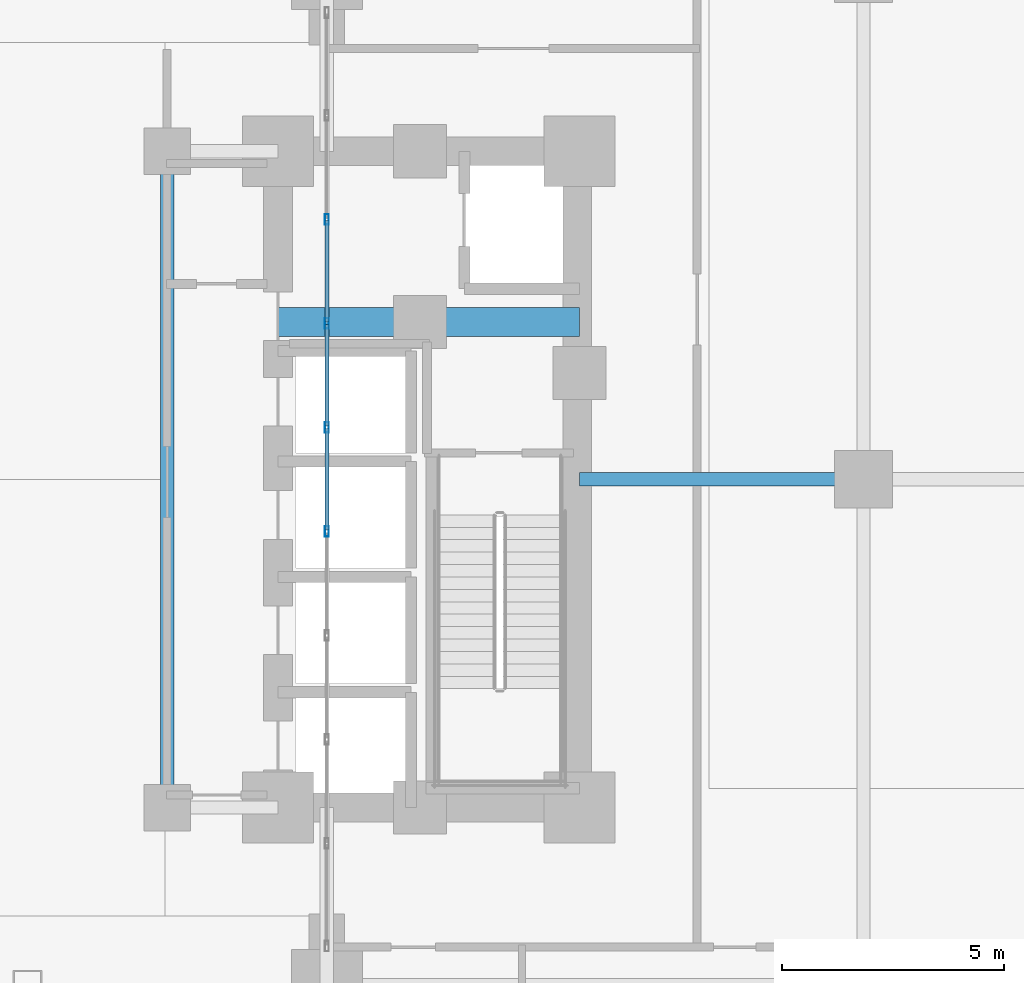
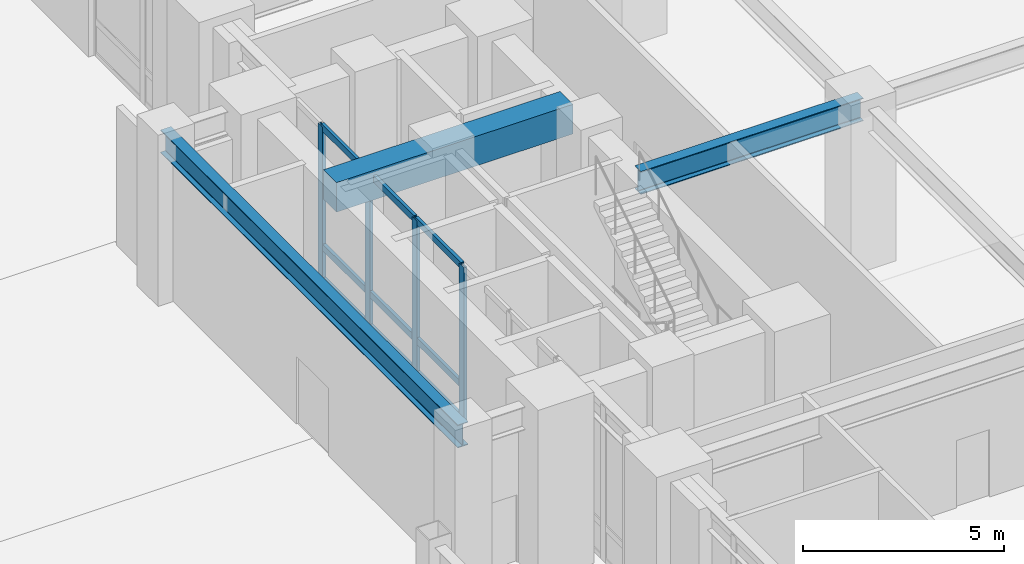
# One storey, part 9 of 23: 13 members, 3 beams, 1 element without a shape of its own.
"""IFC4 building model written with IfcOpenShell, lengths in metres."""

import ifcopenshell
import ifcopenshell.guid

model = None  # the IFC model being written
_history = None  # IfcOwnerHistory: only IFC2X3 demands one
_inside = {}  # id of a spatial element -> (the spatial element, [elements in it])
_under = {}  # id of a project, library or spatial element -> (it, [spatial elements below it])
_declared = {}  # id of a project -> (the project, [libraries it declares])
_typed = {}  # id of a type object -> (the type object, [elements of that type])
_made_of = {}  # id of a material, layer set ... -> (it, [elements and type objects made of it])


def new_model(schema):
    """Start an empty IFC model of exactly this schema.

    Asked for "IFC4X3", IfcOpenShell would pick the latest addendum, in which some entities
    have other attributes; the version numbers below select the first issue.
    IFC2X3 requires an IfcOwnerHistory on every rooted entity: one is made here for all.
    """
    global model, _history
    if schema == "IFC4X3":
        model = ifcopenshell.file(schema_version=(4, 3, 0, 0))
    else:
        model = ifcopenshell.file(schema=schema)
    _inside.clear()
    _under.clear()
    _declared.clear()
    _typed.clear()
    _made_of.clear()
    _history = None
    if model.schema == "IFC2X3":
        org = make("IfcOrganization", Name="unknown")
        user = make(
            "IfcPersonAndOrganization",
            ThePerson=make("IfcPerson", FamilyName="unknown"),
            TheOrganization=org,
        )
        app = make(
            "IfcApplication",
            ApplicationDeveloper=org,
            Version="unknown",
            ApplicationFullName="unknown",
            ApplicationIdentifier="unknown",
        )
        _history = make(
            "IfcOwnerHistory",
            OwningUser=user,
            OwningApplication=app,
            ChangeAction="ADDED",
            CreationDate=0,
        )
    return model


def make(cls, **values):
    """One entity of the class cls with the attributes given. An attribute that is None is left unset."""
    return model.create_entity(
        cls, **{name: value for name, value in values.items() if value is not None}
    )


def rooted(cls, **values):
    """An entity with a GlobalId (a new one), such as an element, a storey or a relation."""
    return make(cls, GlobalId=ifcopenshell.guid.new(), OwnerHistory=_history, **values)


def si_unit(unit_type, name, prefix=None):
    """IfcSIUnit, for example si_unit("LENGTHUNIT", "METRE", prefix="MILLI")."""
    return make("IfcSIUnit", UnitType=unit_type, Prefix=prefix, Name=name)


def assignment(units):
    """IfcUnitAssignment: the units of a project."""
    return None if units is None else make("IfcUnitAssignment", Units=units)


def point(xyz):
    """IfcCartesianPoint."""
    return None if xyz is None else make("IfcCartesianPoint", Coordinates=xyz)


def direction(xyz):
    """IfcDirection."""
    return None if xyz is None else make("IfcDirection", DirectionRatios=xyz)


def frame(location, z_axis=None, x_axis=None):
    """IfcAxis2Placement3D, a coordinate frame: its origin and axes. An axis left out is left unset."""
    return make(
        "IfcAxis2Placement3D",
        Location=point(location),
        Axis=direction(z_axis),
        RefDirection=direction(x_axis),
    )


def frame_2d(location, x_axis=None):
    """IfcAxis2Placement2D, a coordinate frame in the plane: its origin and x axis."""
    return make(
        "IfcAxis2Placement2D", Location=point(location), RefDirection=direction(x_axis)
    )


def origin():
    """The frame at (0, 0, 0) with its axes left unset."""
    return frame((0.0, 0.0, 0.0))


def origin_2d():
    """The frame at (0, 0) in the plane with its x axis left unset."""
    return frame_2d((0.0, 0.0))


def place(relative_to, where):
    """IfcLocalPlacement: puts the frame where relative to a parent placement (None: the world)."""
    return make(
        "IfcLocalPlacement", PlacementRelTo=relative_to, RelativePlacement=where
    )


def context(
    kind, dimensions, precision=None, world=None, true_north=None, identifier=None
):
    """IfcGeometricRepresentationContext, for example the 3D "Model" context."""
    return make(
        "IfcGeometricRepresentationContext",
        ContextIdentifier=identifier,
        ContextType=kind,
        CoordinateSpaceDimension=dimensions,
        Precision=precision,
        WorldCoordinateSystem=world,
        TrueNorth=true_north,
    )


def subcontext(parent, identifier, kind, view, scale=None):
    """IfcGeometricRepresentationSubContext, for example "Body" below "Model"."""
    return make(
        "IfcGeometricRepresentationSubContext",
        ContextIdentifier=identifier,
        ContextType=kind,
        ParentContext=parent,
        TargetScale=scale,
        TargetView=view,
    )


def project(units=None, contexts=None):
    """IfcProject with its units and contexts."""
    return rooted(
        "IfcProject",
        Name="project",
        RepresentationContexts=contexts,
        UnitsInContext=assignment(units),
    )


def spatial(cls, under=None, at=None, **own):
    """A site, building, storey or space (cls), placed at a placement, below another one or the project."""
    s = rooted(cls, ObjectPlacement=at, **own)
    if under is not None:
        _under.setdefault(under.id(), (under, []))[1].append(s)
    return s


def profile(cls, at=None, kind="AREA", **sizes):
    """A parametric profile (cls). Its sizes go by their IFC names, for example OverallWidth=200.0."""
    return make(cls, ProfileType=kind, Position=at, **sizes)


def rectangle(**sizes):
    """IfcRectangleProfileDef."""
    return profile("IfcRectangleProfileDef", **sizes)


def hollow_rectangle(**sizes):
    """IfcRectangleHollowProfileDef."""
    return profile("IfcRectangleHollowProfileDef", **sizes)


def i_section(**sizes):
    """IfcIShapeProfileDef."""
    return profile("IfcIShapeProfileDef", **sizes)


def extrude(swept, where, along, depth):
    """IfcExtrudedAreaSolid: the profile swept, set in the frame where, extruded along a direction by depth."""
    return make(
        "IfcExtrudedAreaSolid",
        SweptArea=swept,
        Position=where,
        ExtrudedDirection=direction(along),
        Depth=depth,
    )


def shape(context_of_items, identifier, shape_type, items):
    """IfcShapeRepresentation: the items that make up one representation, for example the "Body"."""
    return make(
        "IfcShapeRepresentation",
        ContextOfItems=context_of_items,
        RepresentationIdentifier=identifier,
        RepresentationType=shape_type,
        Items=items,
    )


def material(Name=None, Category=None):
    """IfcMaterial."""
    return make("IfcMaterial", Name=Name, Category=Category)


def layer(
    of_material, thickness, ventilated=None, Name=None, Category=None, Priority=None
):
    """IfcMaterialLayer: one layer of a wall or slab, of a material (None: an air gap)."""
    return make(
        "IfcMaterialLayer",
        Material=of_material,
        LayerThickness=thickness,
        IsVentilated=ventilated,
        Name=Name,
        Category=Category,
        Priority=Priority,
    )


def layer_set(layers, Name=None):
    """IfcMaterialLayerSet."""
    return make("IfcMaterialLayerSet", MaterialLayers=layers, LayerSetName=Name)


def material_profile(
    of_material, cross_section, Name=None, Category=None, Priority=None
):
    """IfcMaterialProfile: a cross section and its material."""
    return make(
        "IfcMaterialProfile",
        Name=Name,
        Material=of_material,
        Profile=cross_section,
        Priority=Priority,
        Category=Category,
    )


def profile_set(profiles, Name=None, composite=None):
    """IfcMaterialProfileSet."""
    return make(
        "IfcMaterialProfileSet",
        Name=Name,
        MaterialProfiles=profiles,
        CompositeProfile=composite,
    )


def made_of(thing, what):
    """Note that an element or type object is made of a material, layer set ...; save() writes the relation."""
    if what is not None:
        _made_of.setdefault(what.id(), (what, []))[1].append(thing)
    return thing


def type_object(cls, material=None, **own):
    """A type object (cls), such as IfcWallType, which elements share."""
    return made_of(rooted(cls, **own), material)


def element(
    cls,
    number,
    at=None,
    inside=None,
    cuts=None,
    type_object=None,
    material=None,
    context=None,
    identifier="Body",
    shape_type=None,
    held_by="IfcProductDefinitionShape",
    body=None,
    shapes=None,
    **own,
):
    """One element of the class cls, such as IfcWall. Its Tag is "e" and its number.

    at: its placement. inside: the storey or other place that contains it. cuts: it is an
    opening in that element (IfcRelVoidsElement). A single representation is given by context,
    identifier, shape_type and body (its items); several are given by shapes. held_by: the class
    of the entity that holds the representations. save() writes the other relations.
    """
    e = rooted(cls, Tag="e%d" % number, ObjectPlacement=at, **own)
    if body is not None:
        shapes = [shape(context, identifier, shape_type, body)]
    if shapes is not None:
        e.Representation = make(held_by, Representations=shapes)
    if inside is not None:
        _inside.setdefault(inside.id(), (inside, []))[1].append(e)
    if cuts is not None:
        rooted(
            "IfcRelVoidsElement", RelatingBuildingElement=cuts, RelatedOpeningElement=e
        )
    if type_object is not None:
        _typed.setdefault(type_object.id(), (type_object, []))[1].append(e)
    return made_of(e, material)


def aggregate(whole, parts):
    """IfcRelAggregates: a whole, such as a stair, and the parts it consists of."""
    return rooted("IfcRelAggregates", RelatingObject=whole, RelatedObjects=parts)


def save(model, path):
    """Write the relations noted so far, then the file.

    IfcRelAggregates (storeys below a building ...), IfcRelContainedInSpatialStructure (elements
    in a storey), IfcRelDefinesByType, IfcRelAssociatesMaterial and IfcRelDeclares: one each for
    every whole, place, type object, material and project.
    """
    for whole, parts in _under.values():
        aggregate(whole, parts)
    for where, things in _inside.values():
        rooted(
            "IfcRelContainedInSpatialStructure",
            RelatedElements=things,
            RelatingStructure=where,
        )
    for kind, things in _typed.values():
        rooted("IfcRelDefinesByType", RelatedObjects=things, RelatingType=kind)
    for what, things in _made_of.values():
        rooted("IfcRelAssociatesMaterial", RelatedObjects=things, RelatingMaterial=what)
    for by, libraries in _declared.values():
        rooted("IfcRelDeclares", RelatingContext=by, RelatedDefinitions=libraries)
    model.write(path)


model = new_model("IFC4")

# Units and contexts
model_context = context("Model", 3, precision=1e-05, world=origin(), true_north=direction((0.0, 1.0)))
body_context = subcontext(model_context, "Body", "Model", "MODEL_VIEW")
ifc_project = project(units=[si_unit("LENGTHUNIT", "METRE"), si_unit("AREAUNIT", "SQUARE_METRE"), si_unit("VOLUMEUNIT", "CUBIC_METRE"), si_unit("PLANEANGLEUNIT", "RADIAN"), si_unit("MASSUNIT", "GRAM", prefix="KILO")], contexts=[model_context])

# Site, building, storey
site_placement = place(None, origin())
site = spatial("IfcSite", under=ifc_project, at=site_placement, CompositionType="ELEMENT")
building_placement = place(site_placement, origin())
building = spatial("IfcBuilding", under=site, at=building_placement, Name="Voryun Gate Residences", CompositionType="ELEMENT")
storey_placement = place(building_placement, origin())
storey = spatial("IfcBuildingStorey", under=building, at=storey_placement, Name="L00", CompositionType="ELEMENT", Elevation=0.0)

# Beams
ifc_material_1 = material(Name="Concrete C60/75", Category="concrete")
ifc_material_profile_1 = material_profile(ifc_material_1, rectangle(XDim=0.64990234375, YDim=0.89990234375, at=origin_2d()), Name="RC-650x900")
ifc_profile_set_1 = profile_set([ifc_material_profile_1], Name="Concrete C60/75")
beam_type_1 = type_object("IfcBeamType", Name="BM_COUP_RC900", PredefinedType="LINTEL", material=ifc_profile_set_1)
beam_1_placement = place(storey_placement, frame((12.39990234375, 3.550048828125, 4.469970703125), z_axis=(1.0, 0.0, 0.0), x_axis=(0.0, 1.0, 0.0)))
element("IfcBeam", 1, at=beam_1_placement, inside=storey, type_object=beam_type_1, Name="BM-L00-EC1", PredefinedType="LINTEL", context=body_context, shape_type="SweptSolid", body=[
    extrude(rectangle(XDim=0.64990234375, YDim=0.89990234375, at=origin_2d()), origin(), (0.0, 0.0, 1.0), 6.800048828125),
])
ifc_material_2 = material(Name="Steel SM355", Category="steel")
ifc_material_profile_2 = material_profile(ifc_material_2, i_section(OverallWidth=0.300048828125, OverallDepth=0.699951171875, WebThickness=0.012939453125, FlangeThickness=0.02392578125, FilletRadius=0.01806640625, at=origin_2d()), Name="H-700x300x13x24")
ifc_profile_set_2 = profile_set([ifc_material_profile_2], Name="Steel SM355")
beam_type_2 = type_object("IfcBeamType", Name="BM_GIRD_700", PredefinedType="USERDEFINED", material=ifc_profile_set_2)
beam_2_placement = place(storey_placement, frame((9.89990234375, -7.39990234375, 4.570068359375), z_axis=(0.0, 1.0, 0.0), x_axis=(-1.0, 0.0, 0.0)))
element("IfcBeam", 2, at=beam_2_placement, inside=storey, type_object=beam_type_2, Name="BM-L00-CLRY-E", ObjectType="GIRDER", PredefinedType="USERDEFINED", context=body_context, shape_type="SweptSolid", body=[
    extrude(i_section(OverallWidth=0.300048828125, OverallDepth=0.699951171875, WebThickness=0.012939453125, FlangeThickness=0.02392578125, FilletRadius=0.01806640625, at=origin_2d()), origin(), (0.0, 0.0, 1.0), 14.7998046875),
])
beam_3_placement = place(storey_placement, frame((19.199951171875, 0.0, 4.570068359375), z_axis=(1.0, 0.0, 0.0), x_axis=(0.0, 1.0, 0.0)))
element("IfcBeam", 3, at=beam_3_placement, inside=storey, type_object=beam_type_2, Name="BM-L00-PEX-+0.0-0", ObjectType="GIRDER", PredefinedType="USERDEFINED", context=body_context, shape_type="SweptSolid", body=[
    extrude(i_section(OverallWidth=0.300048828125, OverallDepth=0.699951171875, WebThickness=0.012939453125, FlangeThickness=0.02392578125, FilletRadius=0.01806640625, at=origin_2d()), origin(), (0.0, 0.0, 1.0), 6.400146484375),
])

# Curtain wall, members
ifc_material_3 = material(Name="Anodised aluminium", Category="aluminium")
ifc_layer = layer(ifc_material_3, 0.239990234375, Name="CW_SYS_ARCH_DARK_GLASS")
ifc_layer_set = layer_set([ifc_layer], Name="Anodised aluminium")
curtain_wall_type = type_object("IfcCurtainWallType", Name="CW_SYS_ARCH_DARK_GLASS", PredefinedType="NOTDEFINED", material=ifc_layer_set)
curtain_wall_placement = place(storey_placement, origin())
curtain_wall = element("IfcCurtainWall", 4, at=curtain_wall_placement, inside=storey, type_object=curtain_wall_type, Name="Curtain wall CW2-L00-EP-M", PredefinedType="NOTDEFINED")
ifc_material_4 = material(Name="Anodised aluminium", Category="aluminium")
ifc_material_profile_3 = material_profile(ifc_material_4, hollow_rectangle(XDim=0.090087890625, YDim=0.239990234375, WallThickness=0.006103515625, at=origin_2d()), Name="ALU-MULL-240x90x6")
ifc_profile_set_3 = profile_set([ifc_material_profile_3], Name="Anodised aluminium")
member_type_1 = type_object("IfcMemberType", Name="CW_MULL_ARCH", PredefinedType="MULLION", material=ifc_profile_set_3)
member_1_placement = place(storey_placement, frame((13.5, -1.1728515625, 0.0), z_axis=(0.0, 0.0, 1.0), x_axis=(-1.0, 0.0, 0.0)))
member_1 = element("IfcMember", 5, at=member_1_placement, type_object=member_type_1, Name="CW2 mullion 5", PredefinedType="MULLION", context=body_context, shape_type="SweptSolid", body=[
    extrude(hollow_rectangle(XDim=0.090087890625, YDim=0.239990234375, WallThickness=0.006103515625, at=origin_2d()), origin(), (0.0, 0.0, 1.0), 4.699951171875),
])
member_2_placement = place(storey_placement, frame((13.5, 1.1728515625, 0.0), z_axis=(0.0, 0.0, 1.0), x_axis=(-1.0, 0.0, 0.0)))
member_2 = element("IfcMember", 6, at=member_2_placement, type_object=member_type_1, Name="CW2 mullion 6", PredefinedType="MULLION", context=body_context, shape_type="SweptSolid", body=[
    extrude(hollow_rectangle(XDim=0.090087890625, YDim=0.239990234375, WallThickness=0.006103515625, at=origin_2d()), origin(), (0.0, 0.0, 1.0), 4.699951171875),
])
member_3_placement = place(storey_placement, frame((13.5, 3.518310546875, 0.0), z_axis=(0.0, 0.0, 1.0), x_axis=(-1.0, 0.0, 0.0)))
member_3 = element("IfcMember", 7, at=member_3_placement, type_object=member_type_1, Name="CW2 mullion 7", PredefinedType="MULLION", context=body_context, shape_type="SweptSolid", body=[
    extrude(hollow_rectangle(XDim=0.090087890625, YDim=0.239990234375, WallThickness=0.006103515625, at=origin_2d()), origin(), (0.0, 0.0, 1.0), 4.699951171875),
])
member_4_placement = place(storey_placement, frame((13.5, 5.86376953125, 0.0), z_axis=(0.0, 0.0, 1.0), x_axis=(-1.0, 0.0, 0.0)))
member_4 = element("IfcMember", 8, at=member_4_placement, type_object=member_type_1, Name="CW2 mullion 8", PredefinedType="MULLION", context=body_context, shape_type="SweptSolid", body=[
    extrude(hollow_rectangle(XDim=0.090087890625, YDim=0.239990234375, WallThickness=0.006103515625, at=origin_2d()), origin(), (0.0, 0.0, 1.0), 4.699951171875),
])
ifc_material_5 = material(Name="Anodised aluminium", Category="aluminium")
ifc_material_profile_4 = material_profile(ifc_material_5, hollow_rectangle(XDim=0.090087890625, YDim=0.199951171875, WallThickness=0.006103515625, at=origin_2d()), Name="ALU-TRAN-200x90x6")
ifc_profile_set_4 = profile_set([ifc_material_profile_4], Name="Anodised aluminium")
member_type_2 = type_object("IfcMemberType", Name="CW_TRAN_ARCH", PredefinedType="USERDEFINED", material=ifc_profile_set_4)
member_5_placement = place(storey_placement, frame((13.5, -1.142822265625, 0.030029296875), z_axis=(0.0, 1.0, 0.0), x_axis=(-1.0, 0.0, 0.0)))
member_5 = element("IfcMember", 9, at=member_5_placement, type_object=member_type_2, Name="CW2 transom 5.1", ObjectType="TRANSOM", PredefinedType="USERDEFINED", context=body_context, shape_type="SweptSolid", body=[
    extrude(hollow_rectangle(XDim=0.090087890625, YDim=0.199951171875, WallThickness=0.006103515625, at=origin_2d()), origin(), (0.0, 0.0, 1.0), 2.28564453125),
])
member_6_placement = place(storey_placement, frame((13.5, -1.142822265625, 1.050048828125), z_axis=(0.0, 1.0, 0.0), x_axis=(-1.0, 0.0, 0.0)))
member_6 = element("IfcMember", 10, at=member_6_placement, type_object=member_type_2, Name="CW2 transom 5.2", ObjectType="TRANSOM", PredefinedType="USERDEFINED", context=body_context, shape_type="SweptSolid", body=[
    extrude(hollow_rectangle(XDim=0.090087890625, YDim=0.199951171875, WallThickness=0.006103515625, at=origin_2d()), origin(), (0.0, 0.0, 1.0), 2.28564453125),
])
member_7_placement = place(storey_placement, frame((13.5, -1.142822265625, 4.669921875), z_axis=(0.0, 1.0, 0.0), x_axis=(-1.0, 0.0, 0.0)))
member_7 = element("IfcMember", 11, at=member_7_placement, type_object=member_type_2, Name="CW2 transom 5.3", ObjectType="TRANSOM", PredefinedType="USERDEFINED", context=body_context, shape_type="SweptSolid", body=[
    extrude(hollow_rectangle(XDim=0.090087890625, YDim=0.199951171875, WallThickness=0.006103515625, at=origin_2d()), origin(), (0.0, 0.0, 1.0), 2.28564453125),
])
member_8_placement = place(storey_placement, frame((13.5, 1.202880859375, 0.030029296875), z_axis=(0.0, 1.0, 0.0), x_axis=(-1.0, 0.0, 0.0)))
member_8 = element("IfcMember", 12, at=member_8_placement, type_object=member_type_2, Name="CW2 transom 6.1", ObjectType="TRANSOM", PredefinedType="USERDEFINED", context=body_context, shape_type="SweptSolid", body=[
    extrude(hollow_rectangle(XDim=0.090087890625, YDim=0.199951171875, WallThickness=0.006103515625, at=origin_2d()), origin(), (0.0, 0.0, 1.0), 2.285400390625),
])
member_9_placement = place(storey_placement, frame((13.5, 1.202880859375, 1.050048828125), z_axis=(0.0, 1.0, 0.0), x_axis=(-1.0, 0.0, 0.0)))
member_9 = element("IfcMember", 13, at=member_9_placement, type_object=member_type_2, Name="CW2 transom 6.2", ObjectType="TRANSOM", PredefinedType="USERDEFINED", context=body_context, shape_type="SweptSolid", body=[
    extrude(hollow_rectangle(XDim=0.090087890625, YDim=0.199951171875, WallThickness=0.006103515625, at=origin_2d()), origin(), (0.0, 0.0, 1.0), 2.285400390625),
])
member_10_placement = place(storey_placement, frame((13.5, 1.202880859375, 4.669921875), z_axis=(0.0, 1.0, 0.0), x_axis=(-1.0, 0.0, 0.0)))
member_10 = element("IfcMember", 14, at=member_10_placement, type_object=member_type_2, Name="CW2 transom 6.3", ObjectType="TRANSOM", PredefinedType="USERDEFINED", context=body_context, shape_type="SweptSolid", body=[
    extrude(hollow_rectangle(XDim=0.090087890625, YDim=0.199951171875, WallThickness=0.006103515625, at=origin_2d()), origin(), (0.0, 0.0, 1.0), 2.285400390625),
])
member_11_placement = place(storey_placement, frame((13.5, 3.54833984375, 0.030029296875), z_axis=(0.0, 1.0, 0.0), x_axis=(-1.0, 0.0, 0.0)))
member_11 = element("IfcMember", 15, at=member_11_placement, type_object=member_type_2, Name="CW2 transom 7.1", ObjectType="TRANSOM", PredefinedType="USERDEFINED", context=body_context, shape_type="SweptSolid", body=[
    extrude(hollow_rectangle(XDim=0.090087890625, YDim=0.199951171875, WallThickness=0.006103515625, at=origin_2d()), origin(), (0.0, 0.0, 1.0), 2.28564453125),
])
member_12_placement = place(storey_placement, frame((13.5, 3.54833984375, 1.050048828125), z_axis=(0.0, 1.0, 0.0), x_axis=(-1.0, 0.0, 0.0)))
member_12 = element("IfcMember", 16, at=member_12_placement, type_object=member_type_2, Name="CW2 transom 7.2", ObjectType="TRANSOM", PredefinedType="USERDEFINED", context=body_context, shape_type="SweptSolid", body=[
    extrude(hollow_rectangle(XDim=0.090087890625, YDim=0.199951171875, WallThickness=0.006103515625, at=origin_2d()), origin(), (0.0, 0.0, 1.0), 2.28564453125),
])
member_13_placement = place(storey_placement, frame((13.5, 3.54833984375, 4.669921875), z_axis=(0.0, 1.0, 0.0), x_axis=(-1.0, 0.0, 0.0)))
member_13 = element("IfcMember", 17, at=member_13_placement, type_object=member_type_2, Name="CW2 transom 7.3", ObjectType="TRANSOM", PredefinedType="USERDEFINED", context=body_context, shape_type="SweptSolid", body=[
    extrude(hollow_rectangle(XDim=0.090087890625, YDim=0.199951171875, WallThickness=0.006103515625, at=origin_2d()), origin(), (0.0, 0.0, 1.0), 2.28564453125),
])
aggregate(curtain_wall, [member_1, member_2, member_3, member_4, member_5, member_6, member_7, member_8, member_9, member_10, member_11, member_12, member_13])

save(model, "model.ifc")
